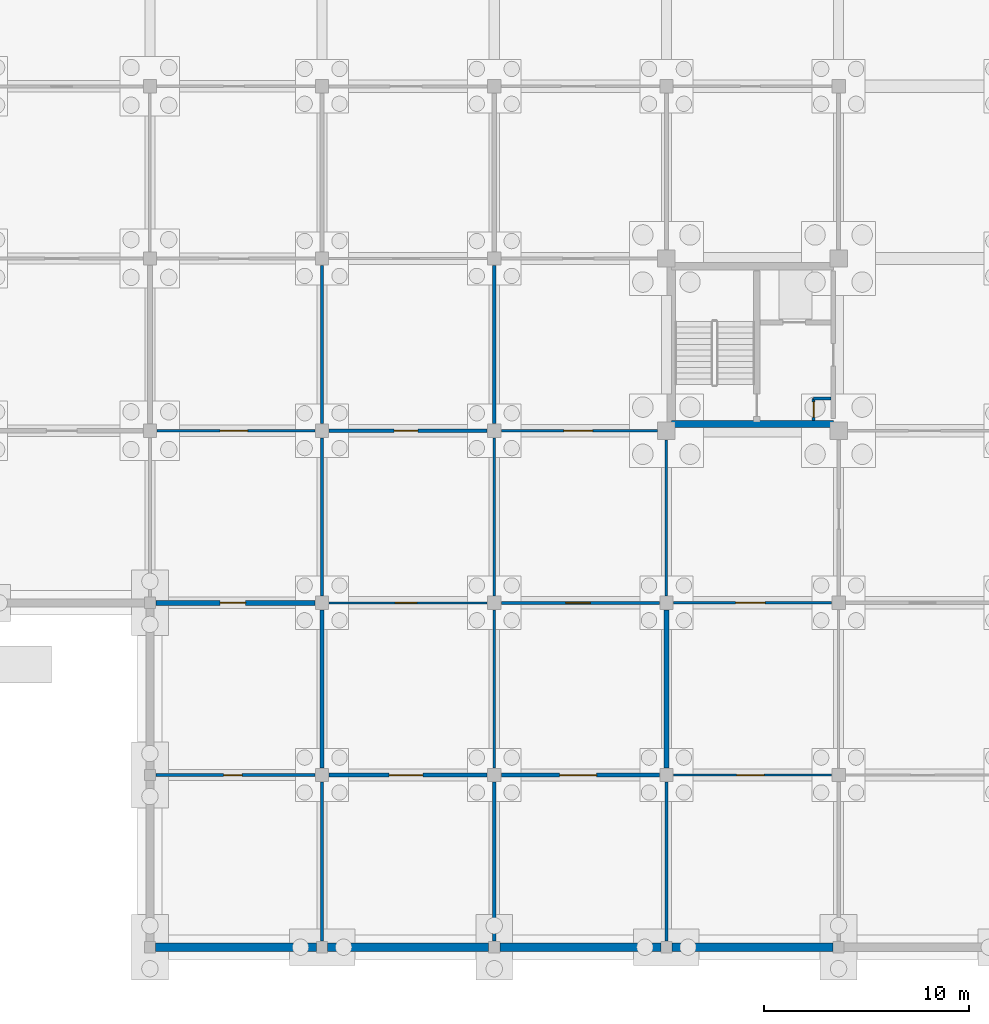
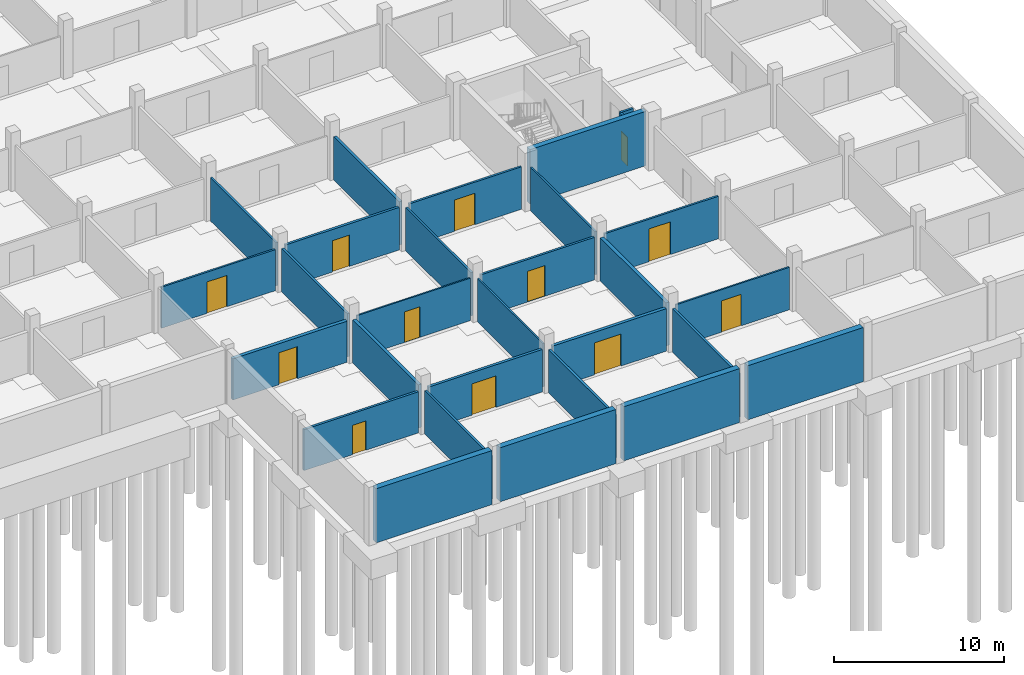
# One storey, part 32 of 43: 29 walls, 12 doors, 12 openings.
"""IFC4 building model written with IfcOpenShell, lengths in metres."""

from ifc_helpers import new_model, si_unit, direction, frame, frame_2d, origin, place, context, subcontext, project, spatial, rectangle, extrude, material, layer, layer_set, type_object, element, fill, save


model = new_model("IFC4")

# Units and contexts
model_context = context("Model", 3, precision=1e-05, world=origin(), true_north=direction((0.0, 1.0)))
body_context = subcontext(model_context, "Body", "Model", "MODEL_VIEW")
ifc_project = project(units=[si_unit("LENGTHUNIT", "METRE"), si_unit("AREAUNIT", "SQUARE_METRE"), si_unit("VOLUMEUNIT", "CUBIC_METRE"), si_unit("PLANEANGLEUNIT", "RADIAN"), si_unit("MASSUNIT", "GRAM", prefix="KILO")], contexts=[model_context])

# Site, building, storey
site_placement = place(None, origin())
site = spatial("IfcSite", under=ifc_project, at=site_placement, CompositionType="ELEMENT")
building_placement = place(site_placement, origin())
building = spatial("IfcBuilding", under=site, at=building_placement, Name="Varnapada Polytechnic", CompositionType="ELEMENT")
storey_placement = place(building_placement, frame((0.0, 0.0, -4.199951171875)))
storey = spatial("IfcBuildingStorey", under=building, at=storey_placement, Name="B1", CompositionType="ELEMENT", Elevation=-4.199951171875)

# Wall, opening, door
ifc_material_1 = material(Name="Autoclaved Aerated Concrete Block AAC-600", Category="concrete")
ifc_layer_1 = layer(ifc_material_1, 0.14990234375)
ifc_layer_set_1 = layer_set([ifc_layer_1], Name="Autoclaved Aerated Concrete Block AAC-600")
wall_type_1 = type_object("IfcWallType", Name="Interior Wall IW-02", PredefinedType="PARTITIONING", material=ifc_layer_set_1)
wall_1_placement = place(storey_placement, frame((158.3798828125, 26.760009765625, 0.0), z_axis=(0.0, 0.0, 1.0), x_axis=(0.0, -1.0, 0.0)))
wall_1 = element("IfcWall", 1, at=wall_1_placement, inside=storey, type_object=wall_type_1, Name="B1 C6 riser shaft west wall", PredefinedType="PARTITIONING", context=body_context, shape_type="SweptSolid", body=[
    extrude(rectangle(XDim=1.06005859375, YDim=0.14990234375, at=frame_2d((0.530029296875, 0.0))), origin(), (0.0, 0.0, 1.0), 3.320068359375),
])
opening_1_placement = place(wall_1_placement, frame((0.159912109375, 0.0, 0.0)))
opening_1 = element("IfcOpeningElement", 2, at=opening_1_placement, cuts=wall_1, Name="Opening TD-05", PredefinedType="OPENING", context=body_context, shape_type="SweptSolid", body=[
    extrude(rectangle(XDim=0.75, YDim=2.050048828125, at=frame_2d((0.375, 1.02490234375))), frame((0.0, 0.0849609375, 0.0), z_axis=(0.0, -1.0, 0.0), x_axis=(1.0, 0.0, 0.0)), (0.0, 0.0, 1.0), 0.169921875),
])
ifc_material_2 = material(Name="Galvanized Steel Z275", Category="steel")
door_type_1 = type_object("IfcDoorType", Name="Interior Door TD-01", OperationType="NOTDEFINED", PredefinedType="TRAPDOOR", material=ifc_material_2)
door_1_placement = place(opening_1_placement, origin())
door_1 = element("IfcDoor", 3, at=door_1_placement, inside=storey, type_object=door_type_1, Name="B1 C6 riser access door TD-05", OperationType="SINGLE_SWING_LEFT", OverallHeight=2.050048828125, OverallWidth=0.75, PredefinedType="TRAPDOOR", context=body_context, shape_type="SweptSolid", body=[
    extrude(rectangle(XDim=0.75, YDim=2.050048828125, at=frame_2d((0.375, 1.02490234375))), frame((0.0, 0.02490234375, 0.0), z_axis=(0.0, -1.0, 0.0), x_axis=(1.0, 0.0, 0.0)), (0.0, 0.0, 1.0), 0.050048828125),
])
fill(opening_1, door_1)

# Walls
wall_2_placement = place(storey_placement, frame((158.3798828125, 26.760009765625, 0.0), z_axis=(0.0, 0.0, 1.0), x_axis=(1.0, 0.0, 0.0)))
element("IfcWall", 4, at=wall_2_placement, inside=storey, type_object=wall_type_1, Name="B1 C6 riser shaft north wall", PredefinedType="PARTITIONING", context=body_context, shape_type="SweptSolid", body=[
    extrude(rectangle(XDim=0.860107421875, YDim=0.14990234375, at=frame_2d((0.43017578125, 0.0))), origin(), (0.0, 0.0, 1.0), 3.320068359375),
])
wall_3_placement = place(storey_placement, frame((134.39990234375, 17.14501953125, 0.0), z_axis=(0.0, 0.0, 1.0), x_axis=(0.0, 1.0, 0.0)))
element("IfcWall", 5, at=wall_3_placement, inside=storey, type_object=wall_type_1, Name="B1 interior partition IW-B1-15-02-V", PredefinedType="PARTITIONING", context=body_context, shape_type="SweptSolid", body=[
    extrude(rectangle(XDim=7.7099609375, YDim=0.14990234375, at=frame_2d((3.85498046875, 0.0))), origin(), (0.0, 0.0, 1.0), 3.099853515625),
])

# Wall, opening, door
wall_4_placement = place(storey_placement, frame((143.14501953125, 16.800048828125, 0.0), z_axis=(0.0, 0.0, 1.0), x_axis=(1.0, 0.0, 0.0)))
wall_4 = element("IfcWall", 6, at=wall_4_placement, inside=storey, type_object=wall_type_1, Name="B1 interior partition IW-B1-17-01-H", PredefinedType="PARTITIONING", context=body_context, shape_type="SweptSolid", body=[
    extrude(rectangle(XDim=7.7099609375, YDim=0.14990234375, at=frame_2d((3.85498046875, 0.0))), origin(), (0.0, 0.0, 1.0), 3.050048828125),
])
opening_2_placement = place(wall_4_placement, frame((3.14990234375, 0.0, 0.0)))
opening_2 = element("IfcOpeningElement", 7, at=opening_2_placement, cuts=wall_4, Name="Opening D-768", PredefinedType="OPENING", context=body_context, shape_type="SweptSolid", body=[
    extrude(rectangle(XDim=1.199951171875, YDim=2.199951171875, at=frame_2d((0.60009765625, 1.10009765625))), frame((0.0, 0.0849609375, 0.0), z_axis=(0.0, -1.0, 0.0), x_axis=(1.0, 0.0, 0.0)), (0.0, 0.0, 1.0), 0.169921875),
])
ifc_material_3 = material(Name="Solid Teak Hardwood Timber", Category="wood")
door_type_2 = type_object("IfcDoorType", Name="Interior Door ID-05", OperationType="NOTDEFINED", PredefinedType="DOOR", material=ifc_material_3)
door_2_placement = place(opening_2_placement, origin())
door_2 = element("IfcDoor", 8, at=door_2_placement, inside=storey, type_object=door_type_2, Name="B1 interior room door D-768", OperationType="SINGLE_SWING_LEFT", OverallHeight=2.199951171875, OverallWidth=1.199951171875, PredefinedType="DOOR", context=body_context, shape_type="SweptSolid", body=[
    extrude(rectangle(XDim=1.199951171875, YDim=2.199951171875, at=frame_2d((0.60009765625, 1.10009765625))), frame((0.0, 0.02490234375, 0.0), z_axis=(0.0, -1.0, 0.0), x_axis=(1.0, 0.0, 0.0)), (0.0, 0.0, 1.0), 0.050048828125),
])
fill(opening_2, door_2)

ifc_material_4 = material(Name="Gypsum Plasterboard Acoustic Partition")
ifc_layer_2 = layer(ifc_material_4, 0.125)
ifc_layer_set_2 = layer_set([ifc_layer_2], Name="Gypsum Plasterboard Acoustic Partition")
wall_type_2 = type_object("IfcWallType", Name="Interior Wall IW-03", PredefinedType="PARTITIONING", material=ifc_layer_set_2)
wall_5_placement = place(storey_placement, frame((126.344970703125, 25.199951171875, 0.0), z_axis=(0.0, 0.0, 1.0), x_axis=(1.0, 0.0, 0.0)))
wall_5 = element("IfcWall", 9, at=wall_5_placement, inside=storey, type_object=wall_type_2, Name="B1 interior partition IW-B1-15-02-H", PredefinedType="PARTITIONING", context=body_context, shape_type="SweptSolid", body=[
    extrude(rectangle(XDim=7.7099609375, YDim=0.125, at=frame_2d((3.85498046875, 0.0))), origin(), (0.0, 0.0, 1.0), 2.949951171875),
])
opening_3_placement = place(wall_5_placement, frame((3.074951171875, 0.0, 0.0)))
opening_3 = element("IfcOpeningElement", 10, at=opening_3_placement, cuts=wall_5, Name="Opening D-746", PredefinedType="OPENING", context=body_context, shape_type="SweptSolid", body=[
    extrude(rectangle(XDim=1.35009765625, YDim=2.25, at=frame_2d((0.675048828125, 1.125))), frame((0.0, 0.072509765625, 0.0), z_axis=(0.0, -1.0, 0.0), x_axis=(1.0, 0.0, 0.0)), (0.0, 0.0, 1.0), 0.14501953125),
])
ifc_material_5 = material(Name="Powder-Coated Aluminium 6063-T6", Category="aluminium")
door_type_3 = type_object("IfcDoorType", Name="Interior Door ID-17", OperationType="NOTDEFINED", PredefinedType="DOOR", material=ifc_material_5)
door_3_placement = place(opening_3_placement, frame((1.35009765625, 0.0, 0.0), z_axis=(0.0, 0.0, 1.0), x_axis=(-1.0, 0.0, 0.0)))
door_3 = element("IfcDoor", 11, at=door_3_placement, inside=storey, type_object=door_type_3, Name="B1 interior room door D-746", OperationType="SINGLE_SWING_LEFT", OverallHeight=2.25, OverallWidth=1.35009765625, PredefinedType="DOOR", context=body_context, shape_type="SweptSolid", body=[
    extrude(rectangle(XDim=1.35009765625, YDim=2.25, at=frame_2d((0.675048828125, 1.125))), frame((0.0, 0.02490234375, 0.0), z_axis=(0.0, -1.0, 0.0), x_axis=(1.0, 0.0, 0.0)), (0.0, 0.0, 1.0), 0.050048828125),
])
fill(opening_3, door_3)

# Walls
wall_6_placement = place(storey_placement, frame((151.199951171875, 17.14501953125, 0.0), z_axis=(0.0, 0.0, 1.0), x_axis=(0.0, 1.0, 0.0)))
element("IfcWall", 12, at=wall_6_placement, inside=storey, type_object=wall_type_2, Name="B1 interior partition IW-B1-17-02-V", PredefinedType="PARTITIONING", context=body_context, shape_type="SweptSolid", body=[
    extrude(rectangle(XDim=7.60986328125, YDim=0.125, at=frame_2d((3.804931640625, 0.0))), origin(), (0.0, 0.0, 1.0), 3.099853515625),
])
ifc_material_6 = material(Name="Moisture-Resistant Cement Board Partition")
ifc_layer_3 = layer(ifc_material_6, 0.139892578125)
ifc_layer_set_3 = layer_set([ifc_layer_3], Name="Moisture-Resistant Cement Board Partition")
wall_type_3 = type_object("IfcWallType", Name="Interior Wall IW-04", PredefinedType="PARTITIONING", material=ifc_layer_set_3)
wall_7_placement = place(storey_placement, frame((134.39990234375, 25.544921875, 0.0), z_axis=(0.0, 0.0, 1.0), x_axis=(0.0, 1.0, 0.0)))
element("IfcWall", 13, at=wall_7_placement, inside=storey, type_object=wall_type_3, Name="B1 interior partition IW-B1-15-03-V", PredefinedType="PARTITIONING", context=body_context, shape_type="SweptSolid", body=[
    extrude(rectangle(XDim=7.7099609375, YDim=0.139892578125, at=frame_2d((3.85498046875, 0.0))), origin(), (0.0, 0.0, 1.0), 3.099853515625),
])

# Wall, opening, door
wall_8_placement = place(storey_placement, frame((143.14501953125, 25.199951171875, 0.0), z_axis=(0.0, 0.0, 1.0), x_axis=(1.0, 0.0, 0.0)))
wall_8 = element("IfcWall", 14, at=wall_8_placement, inside=storey, type_object=wall_type_3, Name="B1 interior partition IW-B1-17-02-H", PredefinedType="PARTITIONING", context=body_context, shape_type="SweptSolid", body=[
    extrude(rectangle(XDim=7.60986328125, YDim=0.139892578125, at=frame_2d((3.804931640625, 0.0))), origin(), (0.0, 0.0, 1.0), 3.050048828125),
])
opening_4_placement = place(wall_8_placement, frame((3.050048828125, 0.0, 0.0)))
opening_4 = element("IfcOpeningElement", 15, at=opening_4_placement, cuts=wall_8, Name="Opening D-769", PredefinedType="OPENING", context=body_context, shape_type="SweptSolid", body=[
    extrude(rectangle(XDim=1.39990234375, YDim=2.25, at=frame_2d((0.699951171875, 1.125))), frame((0.0, 0.079833984375, 0.0), z_axis=(0.0, -1.0, 0.0), x_axis=(1.0, 0.0, 0.0)), (0.0, 0.0, 1.0), 0.159912109375),
])
door_type_4 = type_object("IfcDoorType", Name="Interior Door ID-06", OperationType="NOTDEFINED", PredefinedType="DOOR", material=ifc_material_5)
door_4_placement = place(opening_4_placement, origin())
door_4 = element("IfcDoor", 16, at=door_4_placement, inside=storey, type_object=door_type_4, Name="B1 interior room door D-769", OperationType="SINGLE_SWING_RIGHT", OverallHeight=2.25, OverallWidth=1.39990234375, PredefinedType="DOOR", context=body_context, shape_type="SweptSolid", body=[
    extrude(rectangle(XDim=1.39990234375, YDim=2.25, at=frame_2d((0.699951171875, 1.125))), frame((0.0, 0.02490234375, 0.0), z_axis=(0.0, -1.0, 0.0), x_axis=(1.0, 0.0, 0.0)), (0.0, 0.0, 1.0), 0.050048828125),
])
fill(opening_4, door_4)

# Wall
ifc_material_7 = material(Name="Cross-laminated timber CLT C24", Category="wood")
ifc_layer_4 = layer(ifc_material_7, 0.159912109375)
ifc_layer_set_4 = layer_set([ifc_layer_4], Name="Cross-laminated timber CLT C24")
wall_type_4 = type_object("IfcWallType", Name="Interior Wall IW-05", PredefinedType="PARTITIONING", material=ifc_layer_set_4)
wall_9_placement = place(storey_placement, frame((142.800048828125, 0.294921875, 0.0), z_axis=(0.0, 0.0, 1.0), x_axis=(0.0, 1.0, 0.0)))
element("IfcWall", 17, at=wall_9_placement, inside=storey, type_object=wall_type_4, Name="B1 interior partition IW-B1-16-00-V", PredefinedType="PARTITIONING", context=body_context, shape_type="SweptSolid", body=[
    extrude(rectangle(XDim=7.760009765625, YDim=0.159912109375, at=frame_2d((3.8798828125, 0.0))), origin(), (0.0, 0.0, 1.0), 3.099853515625),
])

# Wall, opening, door
ifc_material_8 = material(Name="Acoustic Double-Stud Studio Partition")
ifc_layer_5 = layer(ifc_material_8, 0.179931640625)
ifc_layer_set_5 = layer_set([ifc_layer_5], Name="Acoustic Double-Stud Studio Partition")
wall_type_5 = type_object("IfcWallType", Name="Interior Wall IW-06", PredefinedType="PARTITIONING", material=ifc_layer_set_5)
wall_10_placement = place(storey_placement, frame((134.7451171875, 8.39990234375, 0.0), z_axis=(0.0, 0.0, 1.0), x_axis=(1.0, 0.0, 0.0)))
wall_10 = element("IfcWall", 18, at=wall_10_placement, inside=storey, type_object=wall_type_5, Name="B1 interior partition IW-B1-16-00-H", PredefinedType="PARTITIONING", context=body_context, shape_type="SweptSolid", body=[
    extrude(rectangle(XDim=7.7099609375, YDim=0.179931640625, at=frame_2d((3.85498046875, 0.0))), origin(), (0.0, 0.0, 1.0), 3.050048828125),
])
opening_5_placement = place(wall_10_placement, frame((2.925048828125, 0.0, 0.0)))
opening_5 = element("IfcOpeningElement", 19, at=opening_5_placement, cuts=wall_10, Name="Opening D-754", PredefinedType="OPENING", context=body_context, shape_type="SweptSolid", body=[
    extrude(rectangle(XDim=1.64990234375, YDim=2.25, at=frame_2d((0.824951171875, 1.125))), frame((0.0, 0.099853515625, 0.0), z_axis=(0.0, -1.0, 0.0), x_axis=(1.0, 0.0, 0.0)), (0.0, 0.0, 1.0), 0.199951171875),
])
door_type_5 = type_object("IfcDoorType", Name="Interior Door ID-08", OperationType="NOTDEFINED", PredefinedType="DOOR", material=ifc_material_3)
door_5_placement = place(opening_5_placement, origin())
door_5 = element("IfcDoor", 20, at=door_5_placement, inside=storey, type_object=door_type_5, Name="B1 interior room door D-754", OperationType="SINGLE_SWING_LEFT", OverallHeight=2.25, OverallWidth=1.64990234375, PredefinedType="DOOR", context=body_context, shape_type="SweptSolid", body=[
    extrude(rectangle(XDim=1.64990234375, YDim=2.25, at=frame_2d((0.824951171875, 1.125))), frame((0.0, 0.02490234375, 0.0), z_axis=(0.0, -1.0, 0.0), x_axis=(1.0, 0.0, 0.0)), (0.0, 0.0, 1.0), 0.050048828125),
])
fill(opening_5, door_5)

# Wall
ifc_material_9 = material(Name="Glazed Timber-Framed Studio Screen", Category="wood")
ifc_layer_6 = layer(ifc_material_9, 0.110107421875)
ifc_layer_set_6 = layer_set([ifc_layer_6], Name="Glazed Timber-Framed Studio Screen")
wall_type_6 = type_object("IfcWallType", Name="Interior Wall IW-07", PredefinedType="PARTITIONING", material=ifc_layer_set_6)
wall_11_placement = place(storey_placement, frame((142.800048828125, 8.7451171875, 0.0), z_axis=(0.0, 0.0, 1.0), x_axis=(0.0, 1.0, 0.0)))
element("IfcWall", 21, at=wall_11_placement, inside=storey, type_object=wall_type_6, Name="B1 interior partition IW-B1-16-01-V", PredefinedType="PARTITIONING", context=body_context, shape_type="SweptSolid", body=[
    extrude(rectangle(XDim=7.7099609375, YDim=0.110107421875, at=frame_2d((3.85498046875, 0.0))), origin(), (0.0, 0.0, 1.0), 3.099853515625),
])

# Wall, opening, door
wall_12_placement = place(storey_placement, frame((151.544921875, 8.39990234375, 0.0), z_axis=(0.0, 0.0, 1.0), x_axis=(1.0, 0.0, 0.0)))
wall_12 = element("IfcWall", 22, at=wall_12_placement, inside=storey, type_object=wall_type_6, Name="B1 interior partition IW-B1-18-00-H", PredefinedType="PARTITIONING", context=body_context, shape_type="SweptSolid", body=[
    extrude(rectangle(XDim=7.7099609375, YDim=0.110107421875, at=frame_2d((3.85498046875, 0.0))), origin(), (0.0, 0.0, 1.0), 3.050048828125),
])
opening_6_placement = place(wall_12_placement, frame((3.074951171875, 0.0, 0.0)))
opening_6 = element("IfcOpeningElement", 23, at=opening_6_placement, cuts=wall_12, Name="Opening D-780", PredefinedType="OPENING", context=body_context, shape_type="SweptSolid", body=[
    extrude(rectangle(XDim=1.35009765625, YDim=2.25, at=frame_2d((0.675048828125, 1.125))), frame((0.0, 0.06494140625, 0.0), z_axis=(0.0, -1.0, 0.0), x_axis=(1.0, 0.0, 0.0)), (0.0, 0.0, 1.0), 0.130126953125),
])
door_6_placement = place(opening_6_placement, origin())
door_6 = element("IfcDoor", 24, at=door_6_placement, inside=storey, type_object=door_type_3, Name="B1 interior room door D-780", OperationType="SINGLE_SWING_LEFT", OverallHeight=2.25, OverallWidth=1.35009765625, PredefinedType="DOOR", context=body_context, shape_type="SweptSolid", body=[
    extrude(rectangle(XDim=1.35009765625, YDim=2.25, at=frame_2d((0.675048828125, 1.125))), frame((0.0, 0.02490234375, 0.0), z_axis=(0.0, -1.0, 0.0), x_axis=(1.0, 0.0, 0.0)), (0.0, 0.0, 1.0), 0.050048828125),
])
fill(opening_6, door_6)

ifc_material_10 = material(Name="Operable Acoustic Seminar Partition")
ifc_layer_7 = layer(ifc_material_10, 0.10009765625)
ifc_layer_set_7 = layer_set([ifc_layer_7], Name="Operable Acoustic Seminar Partition")
wall_type_7 = type_object("IfcWallType", Name="Interior Wall IW-08", PredefinedType="MOVABLE", material=ifc_layer_set_7)
wall_13_placement = place(storey_placement, frame((134.7451171875, 16.800048828125, 0.0), z_axis=(0.0, 0.0, 1.0), x_axis=(1.0, 0.0, 0.0)))
wall_13 = element("IfcWall", 25, at=wall_13_placement, inside=storey, type_object=wall_type_7, Name="B1 interior partition IW-B1-16-01-H", PredefinedType="MOVABLE", context=body_context, shape_type="SweptSolid", body=[
    extrude(rectangle(XDim=7.7099609375, YDim=0.10009765625, at=frame_2d((3.85498046875, 0.0))), origin(), (0.0, 0.0, 1.0), 3.050048828125),
])
opening_7_placement = place(wall_13_placement, frame((3.22509765625, 0.0, 0.0)))
opening_7 = element("IfcOpeningElement", 26, at=opening_7_placement, cuts=wall_13, Name="Opening D-755", PredefinedType="OPENING", context=body_context, shape_type="SweptSolid", body=[
    extrude(rectangle(XDim=1.050048828125, YDim=2.199951171875, at=frame_2d((0.52490234375, 1.10009765625))), frame((0.0, 0.06005859375, 0.0), z_axis=(0.0, -1.0, 0.0), x_axis=(1.0, 0.0, 0.0)), (0.0, 0.0, 1.0), 0.1201171875),
])
door_type_6 = type_object("IfcDoorType", Name="Interior Door ID-09", OperationType="NOTDEFINED", PredefinedType="DOOR", material=ifc_material_3)
door_7_placement = place(opening_7_placement, frame((1.050048828125, 0.0, 0.0), z_axis=(0.0, 0.0, 1.0), x_axis=(-1.0, 0.0, 0.0)))
door_7 = element("IfcDoor", 27, at=door_7_placement, inside=storey, type_object=door_type_6, Name="B1 interior room door D-755", OperationType="SINGLE_SWING_RIGHT", OverallHeight=2.199951171875, OverallWidth=1.050048828125, PredefinedType="DOOR", context=body_context, shape_type="SweptSolid", body=[
    extrude(rectangle(XDim=1.050048828125, YDim=2.199951171875, at=frame_2d((0.52490234375, 1.10009765625))), frame((0.0, 0.02490234375, 0.0), z_axis=(0.0, -1.0, 0.0), x_axis=(1.0, 0.0, 0.0)), (0.0, 0.0, 1.0), 0.050048828125),
])
fill(opening_7, door_7)

# Wall
ifc_material_11 = material(Name="Calcium Silicate Acoustic Lab Partition")
ifc_layer_8 = layer(ifc_material_11, 0.135009765625)
ifc_layer_set_8 = layer_set([ifc_layer_8], Name="Calcium Silicate Acoustic Lab Partition")
wall_type_8 = type_object("IfcWallType", Name="Interior Wall IW-09", PredefinedType="PARTITIONING", material=ifc_layer_set_8)
wall_14_placement = place(storey_placement, frame((142.800048828125, 17.14501953125, 0.0), z_axis=(0.0, 0.0, 1.0), x_axis=(0.0, 1.0, 0.0)))
element("IfcWall", 28, at=wall_14_placement, inside=storey, type_object=wall_type_8, Name="B1 interior partition IW-B1-16-02-V", PredefinedType="PARTITIONING", context=body_context, shape_type="SweptSolid", body=[
    extrude(rectangle(XDim=7.7099609375, YDim=0.135009765625, at=frame_2d((3.85498046875, 0.0))), origin(), (0.0, 0.0, 1.0), 3.099853515625),
])

# Wall, opening, door
wall_15_placement = place(storey_placement, frame((151.544921875, 16.800048828125, 0.0), z_axis=(0.0, 0.0, 1.0), x_axis=(1.0, 0.0, 0.0)))
wall_15 = element("IfcWall", 29, at=wall_15_placement, inside=storey, type_object=wall_type_8, Name="B1 interior partition IW-B1-18-01-H", PredefinedType="PARTITIONING", context=body_context, shape_type="SweptSolid", body=[
    extrude(rectangle(XDim=7.7099609375, YDim=0.135009765625, at=frame_2d((3.85498046875, 0.0))), origin(), (0.0, 0.0, 1.0), 3.050048828125),
])
opening_8_placement = place(wall_15_placement, frame((3.02490234375, 0.0, 0.0)))
opening_8 = element("IfcOpeningElement", 30, at=opening_8_placement, cuts=wall_15, Name="Opening D-781", PredefinedType="OPENING", context=body_context, shape_type="SweptSolid", body=[
    extrude(rectangle(XDim=1.449951171875, YDim=2.35009765625, at=frame_2d((0.72509765625, 1.175048828125))), frame((0.0, 0.077392578125, 0.0), z_axis=(0.0, -1.0, 0.0), x_axis=(1.0, 0.0, 0.0)), (0.0, 0.0, 1.0), 0.155029296875),
])
door_type_7 = type_object("IfcDoorType", Name="Interior Door ID-18", OperationType="NOTDEFINED", PredefinedType="DOOR", material=ifc_material_2)
door_8_placement = place(opening_8_placement, origin())
door_8 = element("IfcDoor", 31, at=door_8_placement, inside=storey, type_object=door_type_7, Name="B1 interior room door D-781", OperationType="SINGLE_SWING_RIGHT", OverallHeight=2.35009765625, OverallWidth=1.449951171875, PredefinedType="DOOR", context=body_context, shape_type="SweptSolid", body=[
    extrude(rectangle(XDim=1.449951171875, YDim=2.35009765625, at=frame_2d((0.72509765625, 1.175048828125))), frame((0.0, 0.02490234375, 0.0), z_axis=(0.0, -1.0, 0.0), x_axis=(1.0, 0.0, 0.0)), (0.0, 0.0, 1.0), 0.050048828125),
])
fill(opening_8, door_8)

ifc_material_12 = material(Name="Double-Layer Fireboard Workshop Wall")
ifc_layer_9 = layer(ifc_material_12, 0.169921875)
ifc_layer_set_9 = layer_set([ifc_layer_9], Name="Double-Layer Fireboard Workshop Wall")
wall_type_9 = type_object("IfcWallType", Name="Interior Wall IW-10", PredefinedType="PARTITIONING", material=ifc_layer_set_9)
wall_16_placement = place(storey_placement, frame((134.7451171875, 25.199951171875, 0.0), z_axis=(0.0, 0.0, 1.0), x_axis=(1.0, 0.0, 0.0)))
wall_16 = element("IfcWall", 32, at=wall_16_placement, inside=storey, type_object=wall_type_9, Name="B1 interior partition IW-B1-16-02-H", PredefinedType="PARTITIONING", context=body_context, shape_type="SweptSolid", body=[
    extrude(rectangle(XDim=7.7099609375, YDim=0.169921875, at=frame_2d((3.85498046875, 0.0))), origin(), (0.0, 0.0, 1.0), 3.050048828125),
])
opening_9_placement = place(wall_16_placement, frame((3.175048828125, 0.0, 0.0)))
opening_9 = element("IfcOpeningElement", 33, at=opening_9_placement, cuts=wall_16, Name="Opening D-756", PredefinedType="OPENING", context=body_context, shape_type="SweptSolid", body=[
    extrude(rectangle(XDim=1.14990234375, YDim=2.25, at=frame_2d((0.574951171875, 1.125))), frame((0.0, 0.094970703125, 0.0), z_axis=(0.0, -1.0, 0.0), x_axis=(1.0, 0.0, 0.0)), (0.0, 0.0, 1.0), 0.18994140625),
])
door_type_8 = type_object("IfcDoorType", Name="Interior Door ID-10", OperationType="NOTDEFINED", PredefinedType="DOOR", material=ifc_material_5)
door_9_placement = place(opening_9_placement, origin())
door_9 = element("IfcDoor", 34, at=door_9_placement, inside=storey, type_object=door_type_8, Name="B1 interior room door D-756", OperationType="SINGLE_SWING_LEFT", OverallHeight=2.25, OverallWidth=1.14990234375, PredefinedType="DOOR", context=body_context, shape_type="SweptSolid", body=[
    extrude(rectangle(XDim=1.14990234375, YDim=2.25, at=frame_2d((0.574951171875, 1.125))), frame((0.0, 0.02490234375, 0.0), z_axis=(0.0, -1.0, 0.0), x_axis=(1.0, 0.0, 0.0)), (0.0, 0.0, 1.0), 0.050048828125),
])
fill(opening_9, door_9)

# Walls
ifc_material_13 = material(Name="Insulated Masonry Plant Room Wall", Category="masonry")
ifc_layer_10 = layer(ifc_material_13, 0.18994140625)
ifc_layer_set_10 = layer_set([ifc_layer_10], Name="Insulated Masonry Plant Room Wall")
wall_type_10 = type_object("IfcWallType", Name="Interior Wall IW-11", PredefinedType="PARTITIONING", material=ifc_layer_set_10)
wall_17_placement = place(storey_placement, frame((142.800048828125, 25.544921875, 0.0), z_axis=(0.0, 0.0, 1.0), x_axis=(0.0, 1.0, 0.0)))
element("IfcWall", 35, at=wall_17_placement, inside=storey, type_object=wall_type_10, Name="B1 interior partition IW-B1-16-03-V", PredefinedType="PARTITIONING", context=body_context, shape_type="SweptSolid", body=[
    extrude(rectangle(XDim=7.7099609375, YDim=0.18994140625, at=frame_2d((3.85498046875, 0.0))), origin(), (0.0, 0.0, 1.0), 3.099853515625),
])
ifc_material_14 = material(Name="Ceramic-Tiled Wet Laboratory Wall")
ifc_layer_11 = layer(ifc_material_14, 0.14501953125)
ifc_layer_set_11 = layer_set([ifc_layer_11], Name="Ceramic-Tiled Wet Laboratory Wall")
wall_type_11 = type_object("IfcWallType", Name="Interior Wall IW-14", PredefinedType="PARTITIONING", material=ifc_layer_set_11)
wall_18_placement = place(storey_placement, frame((134.39990234375, 0.294921875, 0.0), z_axis=(0.0, 0.0, 1.0), x_axis=(0.0, 1.0, 0.0)))
element("IfcWall", 36, at=wall_18_placement, inside=storey, type_object=wall_type_11, Name="B1 interior partition IW-B1-15-00-V", PredefinedType="PARTITIONING", context=body_context, shape_type="SweptSolid", body=[
    extrude(rectangle(XDim=7.760009765625, YDim=0.14501953125, at=frame_2d((3.8798828125, 0.0))), origin(), (0.0, 0.0, 1.0), 3.099853515625),
])

# Wall, opening, door
ifc_material_15 = material(Name="Perforated Timber-Lined Seminar Wall", Category="wood")
ifc_layer_12 = layer(ifc_material_15, 0.155029296875)
ifc_layer_set_12 = layer_set([ifc_layer_12], Name="Perforated Timber-Lined Seminar Wall")
wall_type_12 = type_object("IfcWallType", Name="Interior Wall IW-15", PredefinedType="PARTITIONING", material=ifc_layer_set_12)
wall_19_placement = place(storey_placement, frame((126.294921875, 8.39990234375, 0.0), z_axis=(0.0, 0.0, 1.0), x_axis=(1.0, 0.0, 0.0)))
wall_19 = element("IfcWall", 37, at=wall_19_placement, inside=storey, type_object=wall_type_12, Name="B1 interior partition IW-B1-15-00-H", PredefinedType="PARTITIONING", context=body_context, shape_type="SweptSolid", body=[
    extrude(rectangle(XDim=7.760009765625, YDim=0.155029296875, at=frame_2d((3.8798828125, 0.0))), origin(), (0.0, 0.0, 1.0), 2.949951171875),
])
opening_10_placement = place(wall_19_placement, frame((3.300048828125, 0.0, 0.0)))
opening_10 = element("IfcOpeningElement", 38, at=opening_10_placement, cuts=wall_19, Name="Opening D-744", PredefinedType="OPENING", context=body_context, shape_type="SweptSolid", body=[
    extrude(rectangle(XDim=0.89990234375, YDim=2.10009765625, at=frame_2d((0.449951171875, 1.050048828125))), frame((0.0, 0.08740234375, 0.0), z_axis=(0.0, -1.0, 0.0), x_axis=(1.0, 0.0, 0.0)), (0.0, 0.0, 1.0), 0.175048828125),
])
ifc_material_16 = material(Name="Moisture-Resistant HPL Timber", Category="wood")
door_type_9 = type_object("IfcDoorType", Name="Interior Door ID-15", OperationType="NOTDEFINED", PredefinedType="DOOR", material=ifc_material_16)
door_10_placement = place(opening_10_placement, origin())
door_10 = element("IfcDoor", 39, at=door_10_placement, inside=storey, type_object=door_type_9, Name="B1 interior room door D-744", OperationType="SINGLE_SWING_LEFT", OverallHeight=2.10009765625, OverallWidth=0.89990234375, PredefinedType="DOOR", context=body_context, shape_type="SweptSolid", body=[
    extrude(rectangle(XDim=0.89990234375, YDim=2.10009765625, at=frame_2d((0.449951171875, 1.050048828125))), frame((0.0, 0.02490234375, 0.0), z_axis=(0.0, -1.0, 0.0), x_axis=(1.0, 0.0, 0.0)), (0.0, 0.0, 1.0), 0.050048828125),
])
fill(opening_10, door_10)

# Walls
wall_20_placement = place(storey_placement, frame((151.199951171875, 0.294921875, 0.0), z_axis=(0.0, 0.0, 1.0), x_axis=(0.0, 1.0, 0.0)))
element("IfcWall", 40, at=wall_20_placement, inside=storey, type_object=wall_type_12, Name="B1 interior partition IW-B1-17-00-V", PredefinedType="PARTITIONING", context=body_context, shape_type="SweptSolid", body=[
    extrude(rectangle(XDim=7.760009765625, YDim=0.155029296875, at=frame_2d((3.8798828125, 0.0))), origin(), (0.0, 0.0, 1.0), 3.099853515625),
])
ifc_material_17 = material(Name="Heavy Masonry Workshop Partition", Category="masonry")
ifc_layer_13 = layer(ifc_material_17, 0.2099609375)
ifc_layer_set_13 = layer_set([ifc_layer_13], Name="Heavy Masonry Workshop Partition")
wall_type_13 = type_object("IfcWallType", Name="Interior Wall IW-16", PredefinedType="PARTITIONING", material=ifc_layer_set_13)
wall_21_placement = place(storey_placement, frame((134.39990234375, 8.7451171875, 0.0), z_axis=(0.0, 0.0, 1.0), x_axis=(0.0, 1.0, 0.0)))
element("IfcWall", 41, at=wall_21_placement, inside=storey, type_object=wall_type_13, Name="B1 interior partition IW-B1-15-01-V", PredefinedType="PARTITIONING", context=body_context, shape_type="SweptSolid", body=[
    extrude(rectangle(XDim=7.7099609375, YDim=0.2099609375, at=frame_2d((3.85498046875, 0.0))), origin(), (0.0, 0.0, 1.0), 3.099853515625),
])

# Wall, opening, door
wall_22_placement = place(storey_placement, frame((143.14501953125, 8.39990234375, 0.0), z_axis=(0.0, 0.0, 1.0), x_axis=(1.0, 0.0, 0.0)))
wall_22 = element("IfcWall", 42, at=wall_22_placement, inside=storey, type_object=wall_type_13, Name="B1 interior partition IW-B1-17-00-H", PredefinedType="PARTITIONING", context=body_context, shape_type="SweptSolid", body=[
    extrude(rectangle(XDim=7.7099609375, YDim=0.2099609375, at=frame_2d((3.85498046875, 0.0))), origin(), (0.0, 0.0, 1.0), 3.050048828125),
])
opening_11_placement = place(wall_22_placement, frame((2.85009765625, 0.0, 0.0)))
opening_11 = element("IfcOpeningElement", 43, at=opening_11_placement, cuts=wall_22, Name="Opening D-767", PredefinedType="OPENING", context=body_context, shape_type="SweptSolid", body=[
    extrude(rectangle(XDim=1.800048828125, YDim=2.300048828125, at=frame_2d((0.89990234375, 1.14990234375))), frame((0.0, 0.114990234375, 0.0), z_axis=(0.0, -1.0, 0.0), x_axis=(1.0, 0.0, 0.0)), (0.0, 0.0, 1.0), 0.22998046875),
])
ifc_material_18 = material(Name="Acoustic Double Timber Leaf", Category="wood")
door_type_10 = type_object("IfcDoorType", Name="Interior Door ID-04", OperationType="NOTDEFINED", PredefinedType="DOOR", material=ifc_material_18)
door_11_placement = place(opening_11_placement, frame((1.800048828125, 0.0, 0.0), z_axis=(0.0, 0.0, 1.0), x_axis=(-1.0, 0.0, 0.0)))
door_11 = element("IfcDoor", 44, at=door_11_placement, inside=storey, type_object=door_type_10, Name="B1 interior room door D-767", OperationType="SINGLE_SWING_RIGHT", OverallHeight=2.300048828125, OverallWidth=1.800048828125, PredefinedType="DOOR", context=body_context, shape_type="SweptSolid", body=[
    extrude(rectangle(XDim=1.800048828125, YDim=2.300048828125, at=frame_2d((0.89990234375, 1.14990234375))), frame((0.0, 0.02490234375, 0.0), z_axis=(0.0, -1.0, 0.0), x_axis=(1.0, 0.0, 0.0)), (0.0, 0.0, 1.0), 0.050048828125),
])
fill(opening_11, door_11)

ifc_material_19 = material(Name="Double-Leaf Acoustic Lecture Wall")
ifc_layer_14 = layer(ifc_material_19, 0.235107421875)
ifc_layer_set_14 = layer_set([ifc_layer_14], Name="Double-Leaf Acoustic Lecture Wall")
wall_type_14 = type_object("IfcWallType", Name="Interior Wall IW-17", PredefinedType="PARTITIONING", material=ifc_layer_set_14)
wall_23_placement = place(storey_placement, frame((126.294921875, 16.800048828125, 0.0), z_axis=(0.0, 0.0, 1.0), x_axis=(1.0, 0.0, 0.0)))
wall_23 = element("IfcWall", 45, at=wall_23_placement, inside=storey, type_object=wall_type_14, Name="B1 interior partition IW-B1-15-01-H", PredefinedType="PARTITIONING", context=body_context, shape_type="SweptSolid", body=[
    extrude(rectangle(XDim=7.760009765625, YDim=0.235107421875, at=frame_2d((3.8798828125, 0.0))), origin(), (0.0, 0.0, 1.0), 2.949951171875),
])
opening_12_placement = place(wall_23_placement, frame((3.125, 0.0, 0.0)))
opening_12 = element("IfcOpeningElement", 46, at=opening_12_placement, cuts=wall_23, Name="Opening D-745", PredefinedType="OPENING", context=body_context, shape_type="SweptSolid", body=[
    extrude(rectangle(XDim=1.25, YDim=2.300048828125, at=frame_2d((0.625, 1.14990234375))), frame((0.0, 0.12744140625, 0.0), z_axis=(0.0, -1.0, 0.0), x_axis=(1.0, 0.0, 0.0)), (0.0, 0.0, 1.0), 0.255126953125),
])
door_type_11 = type_object("IfcDoorType", Name="Interior Door ID-16", OperationType="NOTDEFINED", PredefinedType="DOOR", material=ifc_material_3)
door_12_placement = place(opening_12_placement, origin())
door_12 = element("IfcDoor", 47, at=door_12_placement, inside=storey, type_object=door_type_11, Name="B1 interior room door D-745", OperationType="SINGLE_SWING_RIGHT", OverallHeight=2.300048828125, OverallWidth=1.25, PredefinedType="DOOR", context=body_context, shape_type="SweptSolid", body=[
    extrude(rectangle(XDim=1.25, YDim=2.300048828125, at=frame_2d((0.625, 1.14990234375))), frame((0.0, 0.02490234375, 0.0), z_axis=(0.0, -1.0, 0.0), x_axis=(1.0, 0.0, 0.0)), (0.0, 0.0, 1.0), 0.050048828125),
])
fill(opening_12, door_12)

# Walls
wall_24_placement = place(storey_placement, frame((151.199951171875, 8.7451171875, 0.0), z_axis=(0.0, 0.0, 1.0), x_axis=(0.0, 1.0, 0.0)))
element("IfcWall", 48, at=wall_24_placement, inside=storey, type_object=wall_type_14, Name="B1 interior partition IW-B1-17-01-V", PredefinedType="PARTITIONING", context=body_context, shape_type="SweptSolid", body=[
    extrude(rectangle(XDim=7.7099609375, YDim=0.235107421875, at=frame_2d((3.85498046875, 0.0))), origin(), (0.0, 0.0, 1.0), 3.099853515625),
])
ifc_material_20 = material(Name="Concrete C40/50", Category="concrete")
ifc_layer_15 = layer(ifc_material_20, 0.35009765625)
ifc_layer_set_15 = layer_set([ifc_layer_15], Name="Concrete C40/50")
wall_type_15 = type_object("IfcWallType", Name="Interior Wall SW-01", PredefinedType="SHEAR", material=ifc_layer_set_15)
wall_25_placement = place(storey_placement, frame((159.340087890625, 25.52001953125, 0.0), z_axis=(0.0, 0.0, 1.0), x_axis=(-1.0, 0.0, 0.0)))
element("IfcWall", 49, at=wall_25_placement, inside=storey, type_object=wall_type_15, Name="B1 C6 core south shear wall", PredefinedType="SHEAR", context=body_context, shape_type="SweptSolid", body=[
    extrude(rectangle(XDim=7.900146484375, YDim=0.35009765625, at=frame_2d((3.9501953125, 0.0))), origin(), (0.0, 0.0, 1.0), 3.89990234375),
])
ifc_layer_16 = layer(ifc_material_20, 0.39990234375)
ifc_layer_set_16 = layer_set([ifc_layer_16], Name="Concrete C40/50")
wall_type_16 = type_object("IfcWallType", Name="Wall RW-01", PredefinedType="STANDARD", material=ifc_layer_set_16)
wall_26_placement = place(storey_placement, frame((134.125, 0.0, 0.0), z_axis=(0.0, 0.0, 1.0), x_axis=(-1.0, 0.0, 0.0)))
element("IfcWall", 50, at=wall_26_placement, inside=storey, type_object=wall_type_16, Name="B1 perimeter retaining wall 50", PredefinedType="STANDARD", context=body_context, shape_type="SweptSolid", body=[
    extrude(rectangle(XDim=7.85009765625, YDim=0.39990234375, at=frame_2d((3.925048828125, 0.0))), origin(), (0.0, 0.0, 1.0), 3.8798828125),
])
wall_27_placement = place(storey_placement, frame((142.52490234375, 0.0, 0.0), z_axis=(0.0, 0.0, 1.0), x_axis=(-1.0, 0.0, 0.0)))
element("IfcWall", 51, at=wall_27_placement, inside=storey, type_object=wall_type_16, Name="B1 perimeter retaining wall 55", PredefinedType="STANDARD", context=body_context, shape_type="SweptSolid", body=[
    extrude(rectangle(XDim=7.849853515625, YDim=0.39990234375, at=frame_2d((3.9248046875, 0.0))), origin(), (0.0, 0.0, 1.0), 3.8798828125),
])
wall_28_placement = place(storey_placement, frame((150.925048828125, 0.0, 0.0), z_axis=(0.0, 0.0, 1.0), x_axis=(-1.0, 0.0, 0.0)))
element("IfcWall", 52, at=wall_28_placement, inside=storey, type_object=wall_type_16, Name="B1 perimeter retaining wall 57", PredefinedType="STANDARD", context=body_context, shape_type="SweptSolid", body=[
    extrude(rectangle(XDim=7.85009765625, YDim=0.39990234375, at=frame_2d((3.925048828125, 0.0))), origin(), (0.0, 0.0, 1.0), 3.8798828125),
])
wall_29_placement = place(storey_placement, frame((159.324951171875, 0.0, 0.0), z_axis=(0.0, 0.0, 1.0), x_axis=(-1.0, 0.0, 0.0)))
element("IfcWall", 53, at=wall_29_placement, inside=storey, type_object=wall_type_16, Name="B1 perimeter retaining wall 59", PredefinedType="STANDARD", context=body_context, shape_type="SweptSolid", body=[
    extrude(rectangle(XDim=7.849853515625, YDim=0.39990234375, at=frame_2d((3.9248046875, 0.0))), origin(), (0.0, 0.0, 1.0), 3.8798828125),
])

save(model, "model.ifc")
